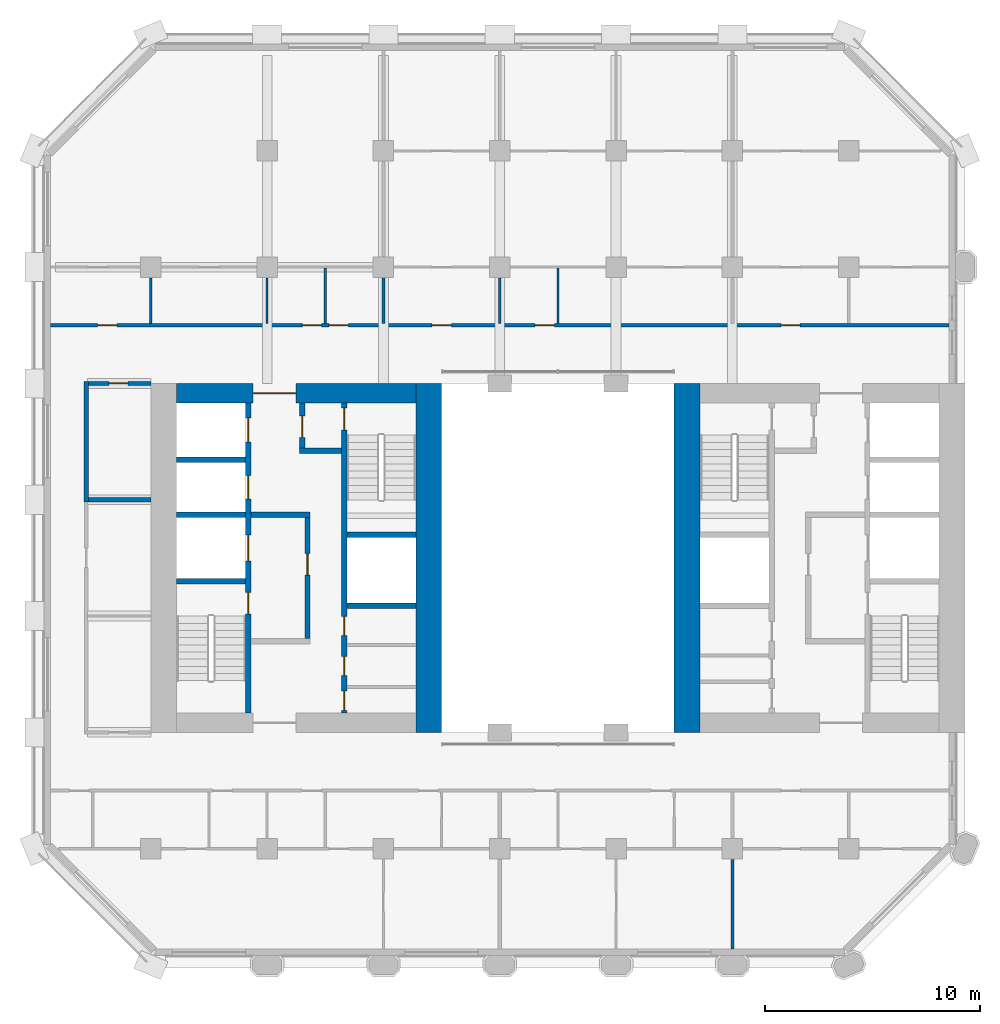
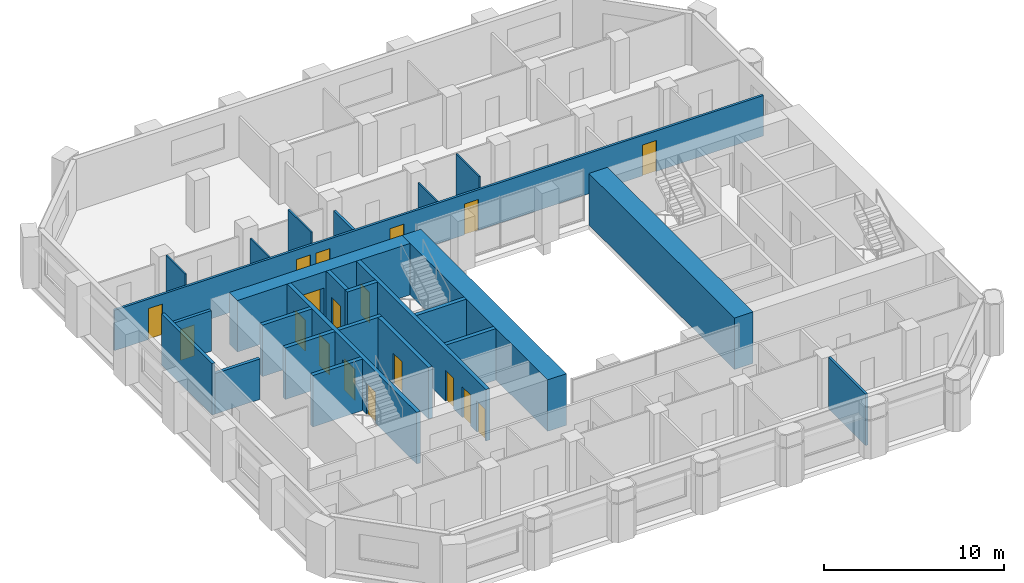
# One storey, part 7 of 13: 25 walls, 18 doors, 18 openings.
"""IFC4 building model written with IfcOpenShell, lengths in metres."""

from ifc_helpers import new_model, si_unit, direction, frame, frame_2d, origin, place, context, subcontext, project, spatial, rectangle, extrude, material, layer, layer_set, type_object, element, fill, save


model = new_model("IFC4")

# Units and contexts
model_context = context("Model", 3, precision=1e-05, world=origin(), true_north=direction((0.0, 1.0)))
body_context = subcontext(model_context, "Body", "Model", "MODEL_VIEW")
ifc_project = project(units=[si_unit("LENGTHUNIT", "METRE"), si_unit("AREAUNIT", "SQUARE_METRE"), si_unit("VOLUMEUNIT", "CUBIC_METRE"), si_unit("PLANEANGLEUNIT", "RADIAN"), si_unit("MASSUNIT", "GRAM", prefix="KILO")], contexts=[model_context])

# Site, building, storey
site_placement = place(None, origin())
site = spatial("IfcSite", under=ifc_project, at=site_placement, CompositionType="ELEMENT")
building_placement = place(site_placement, origin())
building = spatial("IfcBuilding", under=site, at=building_placement, Name="Tabaq Tower and Sports Hall", CompositionType="ELEMENT")
storey_placement = place(building_placement, frame((0.0, 0.0, 118.199951171875)))
storey = spatial("IfcBuildingStorey", under=building, at=storey_placement, Name="L28", CompositionType="ELEMENT", Elevation=118.199951171875)

# Walls
ifc_material_1 = material(Name="Concrete C60/75", Category="concrete")
ifc_layer_1 = layer(ifc_material_1, 1.199951171875)
ifc_layer_set_1 = layer_set([ifc_layer_1], Name="Core wall 1200 Concrete C60/75")
wall_type_1 = type_object("IfcWallType", Name="Core wall 1200 Concrete C60/75", PredefinedType="SOLIDWALL", material=ifc_layer_set_1)
for number, where, z_axis, x_axis, name in (
    (1, (18.300048828125, 32.39990234375, 0.0), (0.0, 0.0, 1.0), (0.0, -1.0, 0.0), "Core wall W L28"),
    (2, (30.300048828125, 16.199951171875, 0.0), (0.0, 0.0, 1.0), (0.0, 1.0, 0.0), "Core wall E L28"),
):
    element("IfcWall", number, at=place(storey_placement, frame(where, z_axis=z_axis, x_axis=x_axis)), inside=storey, type_object=wall_type_1, Name=name, PredefinedType="SOLIDWALL", context=body_context, shape_type="SweptSolid", body=[
        extrude(rectangle(XDim=16.199951171875, YDim=1.199951171875, at=frame_2d((8.10009765625, 0.0))), origin(), (0.0, 0.0, 1.0), 3.5),
    ])

# Wall, opening, door
ifc_material_2 = material(Name="Concrete C60/75", Category="concrete")
ifc_layer_2 = layer(ifc_material_2, 0.89990234375)
ifc_layer_set_2 = layer_set([ifc_layer_2], Name="Core wall 900 Concrete C60/75")
wall_type_2 = type_object("IfcWallType", Name="Core wall 900 Concrete C60/75", PredefinedType="SOLIDWALL", material=ifc_layer_set_2)
wall_1_placement = place(storey_placement, frame((6.60009765625, 31.949951171875, 0.0), z_axis=(0.0, 0.0, 1.0), x_axis=(1.0, 0.0, 0.0)))
wall_1 = element("IfcWall", 3, at=wall_1_placement, inside=storey, type_object=wall_type_2, Name="Core wall W L28", PredefinedType="SOLIDWALL", context=body_context, shape_type="SweptSolid", body=[
    extrude(rectangle(XDim=11.099853515625, YDim=0.89990234375, at=frame_2d((5.5498046875, 0.0))), origin(), (0.0, 0.0, 1.0), 3.5),
])
opening_1_placement = place(wall_1_placement, frame((3.550048828125, 0.0, 0.0)))
opening_1 = element("IfcOpeningElement", 4, at=opening_1_placement, cuts=wall_1, Name="Opening PD-WL28-02", PredefinedType="OPENING", context=body_context, shape_type="SweptSolid", body=[
    extrude(rectangle(XDim=2.0, YDim=2.39990234375, at=frame_2d((1.0, 1.199951171875))), frame((0.0, 0.449951171875, 0.0), z_axis=(0.0, -1.0, 0.0), x_axis=(1.0, 0.0, 0.0)), (0.0, 0.0, 1.0), 0.89990234375),
])
ifc_material_3 = material(Name="Steel fire door", Category="steel")
door_type_1 = type_object("IfcDoorType", Name="Core entrance door 2000", OperationType="DOUBLE_DOOR_SINGLE_SWING", PredefinedType="DOOR", material=ifc_material_3)
door_1_placement = place(opening_1_placement, origin())
door_1 = element("IfcDoor", 5, at=door_1_placement, inside=storey, type_object=door_type_1, Name="Core entrance north W L28", OperationType="DOUBLE_DOOR_SINGLE_SWING", OverallHeight=2.39990234375, OverallWidth=2.0, PredefinedType="DOOR", context=body_context, shape_type="SweptSolid", body=[
    extrude(rectangle(XDim=2.0, YDim=2.39990234375, at=frame_2d((1.0, 1.199951171875))), frame((0.0, 0.02490234375, 0.0), z_axis=(0.0, -1.0, 0.0), x_axis=(1.0, 0.0, 0.0)), (0.0, 0.0, 1.0), 0.050048828125),
])
fill(opening_1, door_1)

# Wall
ifc_material_4 = material(Name="Blockwork", Category="masonry")
ifc_layer_3 = layer(ifc_material_4, 0.199951171875)
ifc_layer_set_3 = layer_set([ifc_layer_3], Name="Fire compartment wall 200 Blockwork")
wall_type_3 = type_object("IfcWallType", Name="Fire compartment wall 200 Blockwork", PredefinedType="PARTITIONING", material=ifc_layer_set_3)
wall_2_placement = place(storey_placement, frame((2.39990234375, 26.89990234375, 0.0), z_axis=(0.0, 0.0, 1.0), x_axis=(0.0, 1.0, 0.0)))
element("IfcWall", 6, at=wall_2_placement, inside=storey, type_object=wall_type_3, Name="Compartment wall L28", PredefinedType="PARTITIONING", context=body_context, shape_type="SweptSolid", body=[
    extrude(rectangle(XDim=5.60009765625, YDim=0.199951171875, at=frame_2d((2.800048828125, 0.0))), origin(), (0.0, 0.0, 1.0), 3.5),
])

# Wall, opening, door
wall_3_placement = place(storey_placement, frame((2.5, 32.39990234375, 0.0), z_axis=(0.0, 0.0, 1.0), x_axis=(1.0, 0.0, 0.0)))
wall_3 = element("IfcWall", 7, at=wall_3_placement, inside=storey, type_object=wall_type_3, Name="Compartment wall L28", PredefinedType="PARTITIONING", context=body_context, shape_type="SweptSolid", body=[
    extrude(rectangle(XDim=2.89990234375, YDim=0.199951171875, at=frame_2d((1.449951171875, 0.0))), origin(), (0.0, 0.0, 1.0), 2.75),
])
opening_2_placement = place(wall_3_placement, frame((0.949951171875, 0.0, 0.0)))
opening_2 = element("IfcOpeningElement", 8, at=opening_2_placement, cuts=wall_3, Name="Opening L28-010", PredefinedType="OPENING", context=body_context, shape_type="SweptSolid", body=[
    extrude(rectangle(XDim=0.89990234375, YDim=2.10009765625, at=frame_2d((0.449951171875, 1.050048828125))), frame((0.0, 0.10009765625, 0.0), z_axis=(0.0, -1.0, 0.0), x_axis=(1.0, 0.0, 0.0)), (0.0, 0.0, 1.0), 0.199951171875),
])
ifc_material_5 = material(Name="Steel fire door", Category="steel")
door_type_2 = type_object("IfcDoorType", Name="Plant room door 900 right hand", OperationType="SINGLE_SWING_RIGHT", PredefinedType="DOOR", material=ifc_material_5)
door_2_placement = place(opening_2_placement, origin())
door_2 = element("IfcDoor", 9, at=door_2_placement, inside=storey, type_object=door_type_2, Name="Plant room door L28-010", OperationType="SINGLE_SWING_RIGHT", OverallHeight=2.10009765625, OverallWidth=0.89990234375, PredefinedType="DOOR", context=body_context, shape_type="SweptSolid", body=[
    extrude(rectangle(XDim=0.89990234375, YDim=2.10009765625, at=frame_2d((0.449951171875, 1.050048828125))), frame((0.0, 0.02490234375, 0.0), z_axis=(0.0, -1.0, 0.0), x_axis=(1.0, 0.0, 0.0)), (0.0, 0.0, 1.0), 0.050048828125),
])
fill(opening_2, door_2)

# Walls
wall_4_placement = place(storey_placement, frame((5.39990234375, 27.0, 0.0), z_axis=(0.0, 0.0, 1.0), x_axis=(-1.0, 0.0, 0.0)))
element("IfcWall", 10, at=wall_4_placement, inside=storey, type_object=wall_type_3, Name="Compartment wall L28", PredefinedType="PARTITIONING", context=body_context, shape_type="SweptSolid", body=[
    extrude(rectangle(XDim=2.89990234375, YDim=0.199951171875, at=frame_2d((1.449951171875, 0.0))), origin(), (0.0, 0.0, 1.0), 2.75),
])
ifc_material_6 = material(Name="Gypsum board on steel studs", Category="steel")
ifc_layer_4 = layer(ifc_material_6, 0.10009765625)
ifc_layer_set_4 = layer_set([ifc_layer_4], Name="Partition 100 Gypsum board")
wall_type_4 = type_object("IfcWallType", Name="Partition 100 Gypsum board", PredefinedType="PARTITIONING", material=ifc_layer_set_4)
wall_5_placement = place(storey_placement, frame((5.39990234375, 35.175048828125, 0.0), z_axis=(0.0, 0.0, 1.0), x_axis=(0.0, 1.0, 0.0)))
element("IfcWall", 11, at=wall_5_placement, inside=storey, type_object=wall_type_4, Name="Partition wall L28", PredefinedType="PARTITIONING", context=body_context, shape_type="SweptSolid", body=[
    extrude(rectangle(XDim=2.1298828125, YDim=0.10009765625, at=frame_2d((1.06494140625, 0.0))), origin(), (0.0, 0.0, 1.0), 3.5),
])
wall_6_placement = place(storey_placement, frame((10.800048828125, 35.175048828125, 0.0), z_axis=(0.0, 0.0, 1.0), x_axis=(0.0, 1.0, 0.0)))
element("IfcWall", 12, at=wall_6_placement, inside=storey, type_object=wall_type_4, Name="Partition wall L28", PredefinedType="PARTITIONING", context=body_context, shape_type="SweptSolid", body=[
    extrude(rectangle(XDim=2.1298828125, YDim=0.10009765625, at=frame_2d((1.06494140625, 0.0))), origin(), (0.0, 0.0, 1.0), 2.75),
])
wall_7_placement = place(storey_placement, frame((13.5, 35.175048828125, 0.0), z_axis=(0.0, 0.0, 1.0), x_axis=(0.0, 1.0, 0.0)))
element("IfcWall", 13, at=wall_7_placement, inside=storey, type_object=wall_type_4, Name="Partition wall L28", PredefinedType="PARTITIONING", context=body_context, shape_type="SweptSolid", body=[
    extrude(rectangle(XDim=2.574951171875, YDim=0.10009765625, at=frame_2d((1.28759765625, 0.0))), origin(), (0.0, 0.0, 1.0), 3.5),
])
wall_8_placement = place(storey_placement, frame((21.60009765625, 35.175048828125, 0.0), z_axis=(0.0, 0.0, 1.0), x_axis=(0.0, 1.0, 0.0)))
element("IfcWall", 14, at=wall_8_placement, inside=storey, type_object=wall_type_4, Name="Partition wall L28", PredefinedType="PARTITIONING", context=body_context, shape_type="SweptSolid", body=[
    extrude(rectangle(XDim=2.1298828125, YDim=0.10009765625, at=frame_2d((1.06494140625, 0.0))), origin(), (0.0, 0.0, 1.0), 2.75),
])
wall_9_placement = place(storey_placement, frame((24.300048828125, 35.175048828125, 0.0), z_axis=(0.0, 0.0, 1.0), x_axis=(0.0, 1.0, 0.0)))
element("IfcWall", 15, at=wall_9_placement, inside=storey, type_object=wall_type_4, Name="Partition wall L28", PredefinedType="PARTITIONING", context=body_context, shape_type="SweptSolid", body=[
    extrude(rectangle(XDim=2.574951171875, YDim=0.10009765625, at=frame_2d((1.28759765625, 0.0))), origin(), (0.0, 0.0, 1.0), 3.5),
])

# Wall, openings, doors
ifc_material_7 = material(Name="Blockwork", Category="masonry")
ifc_layer_5 = layer(ifc_material_7, 0.14990234375)
ifc_layer_set_5 = layer_set([ifc_layer_5], Name="Separating wall 150 Blockwork")
wall_type_5 = type_object("IfcWallType", Name="Separating wall 150 Blockwork", PredefinedType="PARTITIONING", material=ifc_layer_set_5)
wall_10_placement = place(storey_placement, frame((42.448974609375, 35.10009765625, 0.0), z_axis=(0.0, 0.0, 1.0), x_axis=(-1.0, 0.0, 0.0)))
wall_10 = element("IfcWall", 16, at=wall_10_placement, inside=storey, type_object=wall_type_5, Name="Separating wall L28", PredefinedType="PARTITIONING", context=body_context, shape_type="SweptSolid", body=[
    extrude(rectangle(XDim=41.697998046875, YDim=0.14990234375, at=frame_2d((20.84912109375, 0.0))), origin(), (0.0, 0.0, 1.0), 2.75),
])
opening_3_placement = place(wall_10_placement, frame((29.118896484375, 0.0, 0.0)))
opening_3 = element("IfcOpeningElement", 17, at=opening_3_placement, cuts=wall_10, Name="Opening L28-001", PredefinedType="OPENING", context=body_context, shape_type="SweptSolid", body=[
    extrude(rectangle(XDim=0.89990234375, YDim=2.10009765625, at=frame_2d((0.449951171875, 1.050048828125))), frame((0.0, 0.074951171875, 0.0), z_axis=(0.0, -1.0, 0.0), x_axis=(1.0, 0.0, 0.0)), (0.0, 0.0, 1.0), 0.14990234375),
])
opening_4_placement = place(wall_10_placement, frame((27.87890625, 0.0, 0.0)))
opening_4 = element("IfcOpeningElement", 18, at=opening_4_placement, cuts=wall_10, Name="Opening L28-002", PredefinedType="OPENING", context=body_context, shape_type="SweptSolid", body=[
    extrude(rectangle(XDim=0.89990234375, YDim=2.10009765625, at=frame_2d((0.449951171875, 1.050048828125))), frame((0.0, 0.074951171875, 0.0), z_axis=(0.0, -1.0, 0.0), x_axis=(1.0, 0.0, 0.0)), (0.0, 0.0, 1.0), 0.14990234375),
])
opening_5_placement = place(wall_10_placement, frame((18.319091796875, 0.0, 0.0)))
opening_5 = element("IfcOpeningElement", 19, at=opening_5_placement, cuts=wall_10, Name="Opening L28-003", PredefinedType="OPENING", context=body_context, shape_type="SweptSolid", body=[
    extrude(rectangle(XDim=0.89990234375, YDim=2.10009765625, at=frame_2d((0.449951171875, 1.050048828125))), frame((0.0, 0.074951171875, 0.0), z_axis=(0.0, -1.0, 0.0), x_axis=(1.0, 0.0, 0.0)), (0.0, 0.0, 1.0), 0.14990234375),
])
opening_6_placement = place(wall_10_placement, frame((38.6240234375, 0.0, 0.0)))
opening_6 = element("IfcOpeningElement", 20, at=opening_6_placement, cuts=wall_10, Name="Opening L28-024", PredefinedType="OPENING", context=body_context, shape_type="SweptSolid", body=[
    extrude(rectangle(XDim=0.89990234375, YDim=2.10009765625, at=frame_2d((0.449951171875, 1.050048828125))), frame((0.0, 0.074951171875, 0.0), z_axis=(0.0, -1.0, 0.0), x_axis=(1.0, 0.0, 0.0)), (0.0, 0.0, 1.0), 0.14990234375),
])
opening_7_placement = place(wall_10_placement, frame((23.09912109375, 0.0, 0.0)))
opening_7 = element("IfcOpeningElement", 21, at=opening_7_placement, cuts=wall_10, Name="Opening L28-025", PredefinedType="OPENING", context=body_context, shape_type="SweptSolid", body=[
    extrude(rectangle(XDim=0.89990234375, YDim=2.10009765625, at=frame_2d((0.449951171875, 1.050048828125))), frame((0.0, 0.074951171875, 0.0), z_axis=(0.0, -1.0, 0.0), x_axis=(1.0, 0.0, 0.0)), (0.0, 0.0, 1.0), 0.14990234375),
])
opening_8_placement = place(wall_10_placement, frame((6.89892578125, 0.0, 0.0)))
opening_8 = element("IfcOpeningElement", 22, at=opening_8_placement, cuts=wall_10, Name="Opening L28-026", PredefinedType="OPENING", context=body_context, shape_type="SweptSolid", body=[
    extrude(rectangle(XDim=0.89990234375, YDim=2.10009765625, at=frame_2d((0.449951171875, 1.050048828125))), frame((0.0, 0.074951171875, 0.0), z_axis=(0.0, -1.0, 0.0), x_axis=(1.0, 0.0, 0.0)), (0.0, 0.0, 1.0), 0.14990234375),
])
ifc_material_8 = material(Name="Steel fire door", Category="steel")
door_type_3 = type_object("IfcDoorType", Name="Entrance door 900 right hand", OperationType="SINGLE_SWING_RIGHT", PredefinedType="DOOR", material=ifc_material_8)
door_3_placement = place(opening_3_placement, origin())
door_3 = element("IfcDoor", 23, at=door_3_placement, inside=storey, type_object=door_type_3, Name="Entrance door L28-001", OperationType="SINGLE_SWING_RIGHT", OverallHeight=2.10009765625, OverallWidth=0.89990234375, PredefinedType="DOOR", context=body_context, shape_type="SweptSolid", body=[
    extrude(rectangle(XDim=0.89990234375, YDim=2.10009765625, at=frame_2d((0.449951171875, 1.050048828125))), frame((0.0, 0.02490234375, 0.0), z_axis=(0.0, -1.0, 0.0), x_axis=(1.0, 0.0, 0.0)), (0.0, 0.0, 1.0), 0.050048828125),
])
fill(opening_3, door_3)
door_4_placement = place(opening_4_placement, origin())
door_4 = element("IfcDoor", 24, at=door_4_placement, inside=storey, type_object=door_type_3, Name="Entrance door L28-002", OperationType="SINGLE_SWING_RIGHT", OverallHeight=2.10009765625, OverallWidth=0.89990234375, PredefinedType="DOOR", context=body_context, shape_type="SweptSolid", body=[
    extrude(rectangle(XDim=0.89990234375, YDim=2.10009765625, at=frame_2d((0.449951171875, 1.050048828125))), frame((0.0, 0.02490234375, 0.0), z_axis=(0.0, -1.0, 0.0), x_axis=(1.0, 0.0, 0.0)), (0.0, 0.0, 1.0), 0.050048828125),
])
fill(opening_4, door_4)
door_5_placement = place(opening_5_placement, origin())
door_5 = element("IfcDoor", 25, at=door_5_placement, inside=storey, type_object=door_type_3, Name="Entrance door L28-003", OperationType="SINGLE_SWING_RIGHT", OverallHeight=2.10009765625, OverallWidth=0.89990234375, PredefinedType="DOOR", context=body_context, shape_type="SweptSolid", body=[
    extrude(rectangle(XDim=0.89990234375, YDim=2.10009765625, at=frame_2d((0.449951171875, 1.050048828125))), frame((0.0, 0.02490234375, 0.0), z_axis=(0.0, -1.0, 0.0), x_axis=(1.0, 0.0, 0.0)), (0.0, 0.0, 1.0), 0.050048828125),
])
fill(opening_5, door_5)
door_6_placement = place(opening_6_placement, origin())
door_6 = element("IfcDoor", 26, at=door_6_placement, inside=storey, type_object=door_type_3, Name="Entrance door L28-024", OperationType="SINGLE_SWING_RIGHT", OverallHeight=2.10009765625, OverallWidth=0.89990234375, PredefinedType="DOOR", context=body_context, shape_type="SweptSolid", body=[
    extrude(rectangle(XDim=0.89990234375, YDim=2.10009765625, at=frame_2d((0.449951171875, 1.050048828125))), frame((0.0, 0.02490234375, 0.0), z_axis=(0.0, -1.0, 0.0), x_axis=(1.0, 0.0, 0.0)), (0.0, 0.0, 1.0), 0.050048828125),
])
fill(opening_6, door_6)
door_7_placement = place(opening_7_placement, origin())
door_7 = element("IfcDoor", 27, at=door_7_placement, inside=storey, type_object=door_type_3, Name="Entrance door L28-025", OperationType="SINGLE_SWING_RIGHT", OverallHeight=2.10009765625, OverallWidth=0.89990234375, PredefinedType="DOOR", context=body_context, shape_type="SweptSolid", body=[
    extrude(rectangle(XDim=0.89990234375, YDim=2.10009765625, at=frame_2d((0.449951171875, 1.050048828125))), frame((0.0, 0.02490234375, 0.0), z_axis=(0.0, -1.0, 0.0), x_axis=(1.0, 0.0, 0.0)), (0.0, 0.0, 1.0), 0.050048828125),
])
fill(opening_7, door_7)
door_8_placement = place(opening_8_placement, origin())
door_8 = element("IfcDoor", 28, at=door_8_placement, inside=storey, type_object=door_type_3, Name="Entrance door L28-026", OperationType="SINGLE_SWING_RIGHT", OverallHeight=2.10009765625, OverallWidth=0.89990234375, PredefinedType="DOOR", context=body_context, shape_type="SweptSolid", body=[
    extrude(rectangle(XDim=0.89990234375, YDim=2.10009765625, at=frame_2d((0.449951171875, 1.050048828125))), frame((0.0, 0.02490234375, 0.0), z_axis=(0.0, -1.0, 0.0), x_axis=(1.0, 0.0, 0.0)), (0.0, 0.0, 1.0), 0.050048828125),
])
fill(opening_8, door_8)

# Walls
wall_11_placement = place(storey_placement, frame((16.199951171875, 35.175048828125, 0.0), z_axis=(0.0, 0.0, 1.0), x_axis=(0.0, 1.0, 0.0)))
element("IfcWall", 29, at=wall_11_placement, inside=storey, type_object=wall_type_5, Name="Separating wall L28", PredefinedType="PARTITIONING", context=body_context, shape_type="SweptSolid", body=[
    extrude(rectangle(XDim=2.1298828125, YDim=0.14990234375, at=frame_2d((1.06494140625, 0.0))), origin(), (0.0, 0.0, 1.0), 2.75),
])
wall_12_placement = place(storey_placement, frame((32.39990234375, 6.15087890625, 0.0), z_axis=(0.0, 0.0, 1.0), x_axis=(0.0, 1.0, 0.0)))
element("IfcWall", 30, at=wall_12_placement, inside=storey, type_object=wall_type_5, Name="Separating wall L28", PredefinedType="PARTITIONING", context=body_context, shape_type="SweptSolid", body=[
    extrude(rectangle(XDim=4.154052734375, YDim=0.14990234375, at=frame_2d((2.0771484375, 0.0))), origin(), (0.0, 0.0, 1.0), 3.5),
])

# Wall, openings, doors
ifc_material_9 = material(Name="Concrete C40/50", Category="concrete")
ifc_layer_6 = layer(ifc_material_9, 0.25)
ifc_layer_set_6 = layer_set([ifc_layer_6], Name="Shaft and stair wall 250 Concrete C40/50")
wall_type_6 = type_object("IfcWallType", Name="Shaft and stair wall 250 Concrete C40/50", PredefinedType="SOLIDWALL", material=ifc_layer_set_6)
wall_13_placement = place(storey_placement, frame((9.925048828125, 17.10009765625, 0.0), z_axis=(0.0, 0.0, 1.0), x_axis=(0.0, 1.0, 0.0)))
wall_13 = element("IfcWall", 31, at=wall_13_placement, inside=storey, type_object=wall_type_6, Name="Shaft wall W L28", PredefinedType="SOLIDWALL", context=body_context, shape_type="SweptSolid", body=[
    extrude(rectangle(XDim=14.39990234375, YDim=0.25, at=frame_2d((7.199951171875, 0.0))), origin(), (0.0, 0.0, 1.0), 3.5),
])
opening_9_placement = place(wall_13_placement, frame((4.60009765625, 0.0, 0.0)))
opening_9 = element("IfcOpeningElement", 32, at=opening_9_placement, cuts=wall_13, Name="Opening SD-WL28-03", PredefinedType="OPENING", context=body_context, shape_type="SweptSolid", body=[
    extrude(rectangle(XDim=1.0, YDim=2.10009765625, at=frame_2d((0.5, 1.050048828125))), frame((0.0, 0.125, 0.0), z_axis=(0.0, -1.0, 0.0), x_axis=(1.0, 0.0, 0.0)), (0.0, 0.0, 1.0), 0.25),
])
opening_10_placement = place(wall_13_placement, frame((7.0625, 0.0, 0.0)))
opening_10 = element("IfcOpeningElement", 33, at=opening_10_placement, cuts=wall_13, Name="Opening LD-FF1-L28", PredefinedType="OPENING", context=body_context, shape_type="SweptSolid", body=[
    extrude(rectangle(XDim=1.199951171875, YDim=2.10009765625, at=frame_2d((0.60009765625, 1.050048828125))), frame((0.0, 0.125, 0.0), z_axis=(0.0, -1.0, 0.0), x_axis=(1.0, 0.0, 0.0)), (0.0, 0.0, 1.0), 0.25),
])
opening_11_placement = place(wall_13_placement, frame((9.925048828125, 0.0, 0.0)))
opening_11 = element("IfcOpeningElement", 34, at=opening_11_placement, cuts=wall_13, Name="Opening LD-LR1-L28", PredefinedType="OPENING", context=body_context, shape_type="SweptSolid", body=[
    extrude(rectangle(XDim=1.10009765625, YDim=2.10009765625, at=frame_2d((0.550048828125, 1.050048828125))), frame((0.0, 0.125, 0.0), z_axis=(0.0, -1.0, 0.0), x_axis=(1.0, 0.0, 0.0)), (0.0, 0.0, 1.0), 0.25),
])
opening_12_placement = place(wall_13_placement, frame((12.58740234375, 0.0, 0.0)))
opening_12 = element("IfcOpeningElement", 35, at=opening_12_placement, cuts=wall_13, Name="Opening LD-LR2-L28", PredefinedType="OPENING", context=body_context, shape_type="SweptSolid", body=[
    extrude(rectangle(XDim=1.10009765625, YDim=2.10009765625, at=frame_2d((0.550048828125, 1.050048828125))), frame((0.0, 0.125, 0.0), z_axis=(0.0, -1.0, 0.0), x_axis=(1.0, 0.0, 0.0)), (0.0, 0.0, 1.0), 0.25),
])
ifc_material_10 = material(Name="Stainless steel", Category="steel")
door_type_4 = type_object("IfcDoorType", Name="Lift landing door 1100", OperationType="DOUBLE_DOOR_SLIDING", PredefinedType="DOOR", material=ifc_material_10)
door_9_placement = place(opening_11_placement, origin())
door_9 = element("IfcDoor", 36, at=door_9_placement, inside=storey, type_object=door_type_4, Name="Lift landing door LR1 W L28", OperationType="DOUBLE_DOOR_SLIDING", OverallHeight=2.10009765625, OverallWidth=1.10009765625, PredefinedType="DOOR", context=body_context, shape_type="SweptSolid", body=[
    extrude(rectangle(XDim=1.10009765625, YDim=2.10009765625, at=frame_2d((0.550048828125, 1.050048828125))), frame((0.0, 0.02490234375, 0.0), z_axis=(0.0, -1.0, 0.0), x_axis=(1.0, 0.0, 0.0)), (0.0, 0.0, 1.0), 0.050048828125),
])
fill(opening_11, door_9)
door_10_placement = place(opening_12_placement, origin())
door_10 = element("IfcDoor", 37, at=door_10_placement, inside=storey, type_object=door_type_4, Name="Lift landing door LR2 W L28", OperationType="DOUBLE_DOOR_SLIDING", OverallHeight=2.10009765625, OverallWidth=1.10009765625, PredefinedType="DOOR", context=body_context, shape_type="SweptSolid", body=[
    extrude(rectangle(XDim=1.10009765625, YDim=2.10009765625, at=frame_2d((0.550048828125, 1.050048828125))), frame((0.0, 0.02490234375, 0.0), z_axis=(0.0, -1.0, 0.0), x_axis=(1.0, 0.0, 0.0)), (0.0, 0.0, 1.0), 0.050048828125),
])
fill(opening_12, door_10)
ifc_material_11 = material(Name="Stainless steel", Category="steel")
door_type_5 = type_object("IfcDoorType", Name="Lift landing door 1200", OperationType="DOUBLE_DOOR_SLIDING", PredefinedType="DOOR", material=ifc_material_11)
door_11_placement = place(opening_10_placement, origin())
door_11 = element("IfcDoor", 38, at=door_11_placement, inside=storey, type_object=door_type_5, Name="Lift landing door FF1 W L28", OperationType="DOUBLE_DOOR_SLIDING", OverallHeight=2.10009765625, OverallWidth=1.199951171875, PredefinedType="DOOR", context=body_context, shape_type="SweptSolid", body=[
    extrude(rectangle(XDim=1.199951171875, YDim=2.10009765625, at=frame_2d((0.60009765625, 1.050048828125))), frame((0.0, 0.02490234375, 0.0), z_axis=(0.0, -1.0, 0.0), x_axis=(1.0, 0.0, 0.0)), (0.0, 0.0, 1.0), 0.050048828125),
])
fill(opening_10, door_11)
ifc_material_12 = material(Name="Steel fire door", Category="steel")
door_type_6 = type_object("IfcDoorType", Name="Stair door 1000", OperationType="SINGLE_SWING_LEFT", PredefinedType="DOOR", material=ifc_material_12)
door_12_placement = place(opening_9_placement, origin())
door_12 = element("IfcDoor", 39, at=door_12_placement, inside=storey, type_object=door_type_6, Name="Stair door ST1 W L28", OperationType="SINGLE_SWING_LEFT", OverallHeight=2.10009765625, OverallWidth=1.0, PredefinedType="DOOR", context=body_context, shape_type="SweptSolid", body=[
    extrude(rectangle(XDim=1.0, YDim=2.10009765625, at=frame_2d((0.5, 1.050048828125))), frame((0.0, 0.02490234375, 0.0), z_axis=(0.0, -1.0, 0.0), x_axis=(1.0, 0.0, 0.0)), (0.0, 0.0, 1.0), 0.050048828125),
])
fill(opening_9, door_12)

wall_14_placement = place(storey_placement, frame((14.375, 17.10009765625, 0.0), z_axis=(0.0, 0.0, 1.0), x_axis=(0.0, 1.0, 0.0)))
wall_14 = element("IfcWall", 40, at=wall_14_placement, inside=storey, type_object=wall_type_6, Name="Shaft wall W L28", PredefinedType="SOLIDWALL", context=body_context, shape_type="SweptSolid", body=[
    extrude(rectangle(XDim=14.39990234375, YDim=0.25, at=frame_2d((7.199951171875, 0.0))), origin(), (0.0, 0.0, 1.0), 3.5),
])
opening_13_placement = place(wall_14_placement, frame((13.14990234375, 0.0, 0.0)))
opening_13 = element("IfcOpeningElement", 41, at=opening_13_placement, cuts=wall_14, Name="Opening SD-WL28-05", PredefinedType="OPENING", context=body_context, shape_type="SweptSolid", body=[
    extrude(rectangle(XDim=1.0, YDim=2.10009765625, at=frame_2d((0.5, 1.050048828125))), frame((0.0, 0.125, 0.0), z_axis=(0.0, -1.0, 0.0), x_axis=(1.0, 0.0, 0.0)), (0.0, 0.0, 1.0), 0.25),
])
opening_14_placement = place(wall_14_placement, frame((0.118408203125, 0.0, 0.0)))
opening_14 = element("IfcOpeningElement", 42, at=opening_14_placement, cuts=wall_14, Name="Opening RD-WL28-10", PredefinedType="OPENING", context=body_context, shape_type="SweptSolid", body=[
    extrude(rectangle(XDim=0.89990234375, YDim=2.10009765625, at=frame_2d((0.449951171875, 1.050048828125))), frame((0.0, 0.125, 0.0), z_axis=(0.0, -1.0, 0.0), x_axis=(1.0, 0.0, 0.0)), (0.0, 0.0, 1.0), 0.25),
])
opening_15_placement = place(wall_14_placement, frame((1.73193359375, 0.0, 0.0)))
opening_15 = element("IfcOpeningElement", 43, at=opening_15_placement, cuts=wall_14, Name="Opening RD-WL28-11", PredefinedType="OPENING", context=body_context, shape_type="SweptSolid", body=[
    extrude(rectangle(XDim=0.89990234375, YDim=2.10009765625, at=frame_2d((0.449951171875, 1.050048828125))), frame((0.0, 0.125, 0.0), z_axis=(0.0, -1.0, 0.0), x_axis=(1.0, 0.0, 0.0)), (0.0, 0.0, 1.0), 0.25),
])
opening_16_placement = place(wall_14_placement, frame((3.58837890625, 0.0, 0.0)))
opening_16 = element("IfcOpeningElement", 44, at=opening_16_placement, cuts=wall_14, Name="Opening RD-WL28-12", PredefinedType="OPENING", context=body_context, shape_type="SweptSolid", body=[
    extrude(rectangle(XDim=0.89990234375, YDim=2.10009765625, at=frame_2d((0.449951171875, 1.050048828125))), frame((0.0, 0.125, 0.0), z_axis=(0.0, -1.0, 0.0), x_axis=(1.0, 0.0, 0.0)), (0.0, 0.0, 1.0), 0.25),
])
ifc_material_13 = material(Name="Steel fire door", Category="steel")
door_type_7 = type_object("IfcDoorType", Name="Core room door 900", OperationType="SINGLE_SWING_LEFT", PredefinedType="DOOR", material=ifc_material_13)
door_13_placement = place(opening_14_placement, origin())
door_13 = element("IfcDoor", 45, at=door_13_placement, inside=storey, type_object=door_type_7, Name="Door Electrical Riser Room W L28", OperationType="SINGLE_SWING_LEFT", OverallHeight=2.10009765625, OverallWidth=0.89990234375, PredefinedType="DOOR", context=body_context, shape_type="SweptSolid", body=[
    extrude(rectangle(XDim=0.89990234375, YDim=2.10009765625, at=frame_2d((0.449951171875, 1.050048828125))), frame((0.0, 0.02490234375, 0.0), z_axis=(0.0, -1.0, 0.0), x_axis=(1.0, 0.0, 0.0)), (0.0, 0.0, 1.0), 0.050048828125),
])
fill(opening_14, door_13)
door_14_placement = place(opening_15_placement, origin())
door_14 = element("IfcDoor", 46, at=door_14_placement, inside=storey, type_object=door_type_7, Name="Door Unisex WC W L28", OperationType="SINGLE_SWING_LEFT", OverallHeight=2.10009765625, OverallWidth=0.89990234375, PredefinedType="DOOR", context=body_context, shape_type="SweptSolid", body=[
    extrude(rectangle(XDim=0.89990234375, YDim=2.10009765625, at=frame_2d((0.449951171875, 1.050048828125))), frame((0.0, 0.02490234375, 0.0), z_axis=(0.0, -1.0, 0.0), x_axis=(1.0, 0.0, 0.0)), (0.0, 0.0, 1.0), 0.050048828125),
])
fill(opening_15, door_14)
door_15_placement = place(opening_16_placement, origin())
door_15 = element("IfcDoor", 47, at=door_15_placement, inside=storey, type_object=door_type_7, Name="Door Accessible WC W L28", OperationType="SINGLE_SWING_LEFT", OverallHeight=2.10009765625, OverallWidth=0.89990234375, PredefinedType="DOOR", context=body_context, shape_type="SweptSolid", body=[
    extrude(rectangle(XDim=0.89990234375, YDim=2.10009765625, at=frame_2d((0.449951171875, 1.050048828125))), frame((0.0, 0.02490234375, 0.0), z_axis=(0.0, -1.0, 0.0), x_axis=(1.0, 0.0, 0.0)), (0.0, 0.0, 1.0), 0.050048828125),
])
fill(opening_16, door_15)
door_16_placement = place(opening_13_placement, origin())
door_16 = element("IfcDoor", 48, at=door_16_placement, inside=storey, type_object=door_type_6, Name="Stair door ST2 W L28", OperationType="SINGLE_SWING_LEFT", OverallHeight=2.10009765625, OverallWidth=1.0, PredefinedType="DOOR", context=body_context, shape_type="SweptSolid", body=[
    extrude(rectangle(XDim=1.0, YDim=2.10009765625, at=frame_2d((0.5, 1.050048828125))), frame((0.0, 0.02490234375, 0.0), z_axis=(0.0, -1.0, 0.0), x_axis=(1.0, 0.0, 0.0)), (0.0, 0.0, 1.0), 0.050048828125),
])
fill(opening_13, door_16)

# Walls
for number, where, z_axis, x_axis, name in (
    (49, (6.60009765625, 23.22509765625, 0.0), (0.0, 0.0, 1.0), (1.0, 0.0, 0.0), "Stair enclosure wall W L28"),
    (50, (14.5, 25.375, 0.0), (0.0, 0.0, 1.0), (1.0, 0.0, 0.0), "Stair enclosure wall W L28"),
    (51, (14.5, 22.074951171875, 0.0), (0.0, 0.0, 1.0), (1.0, 0.0, 0.0), "Shaft wall W L28"),
    (52, (6.60009765625, 26.300048828125, 0.0), (0.0, 0.0, 1.0), (1.0, 0.0, 0.0), "Shaft wall W L28"),
):
    element("IfcWall", number, at=place(storey_placement, frame(where, z_axis=z_axis, x_axis=x_axis)), inside=storey, type_object=wall_type_6, Name=name, PredefinedType="SOLIDWALL", context=body_context, shape_type="SweptSolid", body=[
        extrude(rectangle(XDim=3.199951171875, YDim=0.25, at=frame_2d((1.60009765625, 0.0))), origin(), (0.0, 0.0, 1.0), 3.5),
    ])
wall_15_placement = place(storey_placement, frame((10.050048828125, 26.300048828125, 0.0), z_axis=(0.0, 0.0, 1.0), x_axis=(1.0, 0.0, 0.0)))
element("IfcWall", 53, at=wall_15_placement, inside=storey, type_object=wall_type_6, Name="Fire-fighting lobby wall W L28", PredefinedType="SOLIDWALL", context=body_context, shape_type="SweptSolid", body=[
    extrude(rectangle(XDim=2.75, YDim=0.25, at=frame_2d((1.375, 0.0))), origin(), (0.0, 0.0, 1.0), 3.5),
])

# Wall, opening, door
wall_16_placement = place(storey_placement, frame((12.425048828125, 29.39990234375, 0.0), z_axis=(0.0, 0.0, 1.0), x_axis=(0.0, 1.0, 0.0)))
wall_16 = element("IfcWall", 54, at=wall_16_placement, inside=storey, type_object=wall_type_6, Name="Fire-fighting lobby wall W L28", PredefinedType="SOLIDWALL", context=body_context, shape_type="SweptSolid", body=[
    extrude(rectangle(XDim=2.10009765625, YDim=0.25, at=frame_2d((1.050048828125, 0.0))), origin(), (0.0, 0.0, 1.0), 3.5),
])
opening_17_placement = place(wall_16_placement, frame((0.5, 0.0, 0.0)))
opening_17 = element("IfcOpeningElement", 55, at=opening_17_placement, cuts=wall_16, Name="Opening FD-WL28-06", PredefinedType="OPENING", context=body_context, shape_type="SweptSolid", body=[
    extrude(rectangle(XDim=1.0, YDim=2.10009765625, at=frame_2d((0.5, 1.050048828125))), frame((0.0, 0.125, 0.0), z_axis=(0.0, -1.0, 0.0), x_axis=(1.0, 0.0, 0.0)), (0.0, 0.0, 1.0), 0.25),
])
ifc_material_14 = material(Name="Steel fire door", Category="steel")
door_type_8 = type_object("IfcDoorType", Name="Fire-fighting lobby door 1000", OperationType="SINGLE_SWING_LEFT", PredefinedType="DOOR", material=ifc_material_14)
door_17_placement = place(opening_17_placement, origin())
door_17 = element("IfcDoor", 56, at=door_17_placement, inside=storey, type_object=door_type_8, Name="Stair lobby door W L28", OperationType="SINGLE_SWING_LEFT", OverallHeight=2.10009765625, OverallWidth=1.0, PredefinedType="DOOR", context=body_context, shape_type="SweptSolid", body=[
    extrude(rectangle(XDim=1.0, YDim=2.10009765625, at=frame_2d((0.5, 1.050048828125))), frame((0.0, 0.02490234375, 0.0), z_axis=(0.0, -1.0, 0.0), x_axis=(1.0, 0.0, 0.0)), (0.0, 0.0, 1.0), 0.050048828125),
])
fill(opening_17, door_17)

# Wall
wall_17_placement = place(storey_placement, frame((12.300048828125, 29.27490234375, 0.0), z_axis=(0.0, 0.0, 1.0), x_axis=(1.0, 0.0, 0.0)))
element("IfcWall", 57, at=wall_17_placement, inside=storey, type_object=wall_type_6, Name="Fire-fighting lobby wall W L28", PredefinedType="SOLIDWALL", context=body_context, shape_type="SweptSolid", body=[
    extrude(rectangle(XDim=1.949951171875, YDim=0.25, at=frame_2d((0.97509765625, 0.0))), origin(), (0.0, 0.0, 1.0), 3.5),
])

# Wall, opening, door
wall_18_placement = place(storey_placement, frame((12.675048828125, 20.550048828125, 0.0), z_axis=(0.0, 0.0, 1.0), x_axis=(0.0, 1.0, 0.0)))
wall_18 = element("IfcWall", 58, at=wall_18_placement, inside=storey, type_object=wall_type_6, Name="Fire-fighting lobby wall W L28", PredefinedType="SOLIDWALL", context=body_context, shape_type="SweptSolid", body=[
    extrude(rectangle(XDim=5.625, YDim=0.25, at=frame_2d((2.8125, 0.0))), origin(), (0.0, 0.0, 1.0), 3.5),
])
opening_18_placement = place(wall_18_placement, frame((2.949951171875, 0.0, 0.0)))
opening_18 = element("IfcOpeningElement", 59, at=opening_18_placement, cuts=wall_18, Name="Opening FD-WL28-04", PredefinedType="OPENING", context=body_context, shape_type="SweptSolid", body=[
    extrude(rectangle(XDim=1.0, YDim=2.10009765625, at=frame_2d((0.5, 1.050048828125))), frame((0.0, 0.125, 0.0), z_axis=(0.0, -1.0, 0.0), x_axis=(1.0, 0.0, 0.0)), (0.0, 0.0, 1.0), 0.25),
])
door_18_placement = place(opening_18_placement, origin())
door_18 = element("IfcDoor", 60, at=door_18_placement, inside=storey, type_object=door_type_8, Name="Fire-fighting lobby door W L28", OperationType="SINGLE_SWING_LEFT", OverallHeight=2.10009765625, OverallWidth=1.0, PredefinedType="DOOR", context=body_context, shape_type="SweptSolid", body=[
    extrude(rectangle(XDim=1.0, YDim=2.10009765625, at=frame_2d((0.5, 1.050048828125))), frame((0.0, 0.02490234375, 0.0), z_axis=(0.0, -1.0, 0.0), x_axis=(1.0, 0.0, 0.0)), (0.0, 0.0, 1.0), 0.050048828125),
])
fill(opening_18, door_18)

# Wall
wall_19_placement = place(storey_placement, frame((6.60009765625, 28.85009765625, 0.0), z_axis=(0.0, 0.0, 1.0), x_axis=(1.0, 0.0, 0.0)))
element("IfcWall", 61, at=wall_19_placement, inside=storey, type_object=wall_type_6, Name="Shaft wall W L28", PredefinedType="SOLIDWALL", context=body_context, shape_type="SweptSolid", body=[
    extrude(rectangle(XDim=3.199951171875, YDim=0.25, at=frame_2d((1.60009765625, 0.0))), origin(), (0.0, 0.0, 1.0), 3.5),
])

save(model, "model.ifc")
